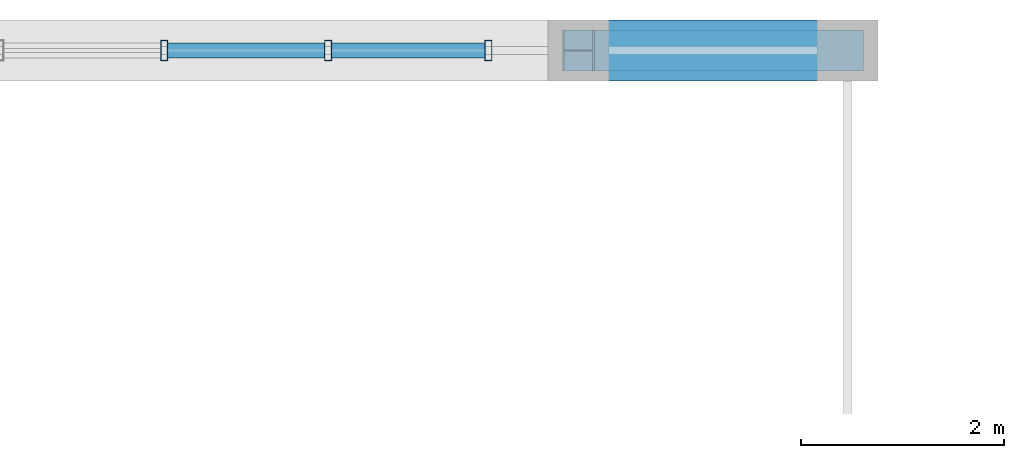
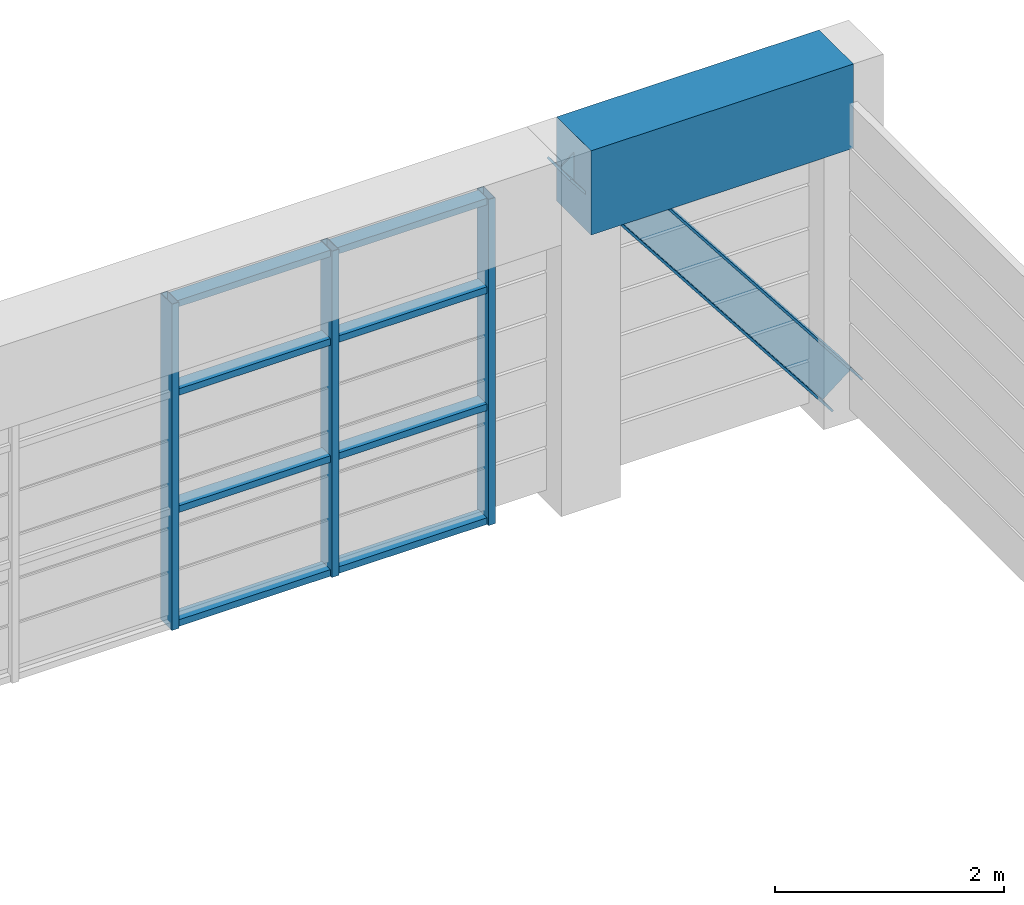
# One storey, part 15 of 21: 12 members, 1 beam, 1 element without a shape of its own.
"""IFC4 building model written with IfcOpenShell, lengths in metres."""

from ifc_helpers import new_model, si_unit, direction, frame, origin, origin_2d, place, context, subcontext, project, spatial, rectangle, hollow_rectangle, i_section, extrude, source, transform, mapped, material, layer, layer_set, material_profile, profile_set, type_object, element, aggregate, save


model = new_model("IFC4")

# Units and contexts
model_context = context("Model", 3, precision=1e-05, world=origin(), true_north=direction((0.0, 1.0)))
body_context = subcontext(model_context, "Body", "Model", "MODEL_VIEW")
ifc_project = project(units=[si_unit("LENGTHUNIT", "METRE"), si_unit("AREAUNIT", "SQUARE_METRE"), si_unit("VOLUMEUNIT", "CUBIC_METRE"), si_unit("PLANEANGLEUNIT", "RADIAN"), si_unit("MASSUNIT", "GRAM", prefix="KILO")], contexts=[model_context])

# Site, building, storey
site_placement = place(None, origin())
site = spatial("IfcSite", under=ifc_project, at=site_placement, CompositionType="ELEMENT")
building_placement = place(site_placement, origin())
building = spatial("IfcBuilding", under=site, at=building_placement, Name="Saelheon Loggia Tower", CompositionType="ELEMENT")
storey_placement = place(building_placement, frame((0.0, 0.0, 259.800048828125)))
storey = spatial("IfcBuildingStorey", under=building, at=storey_placement, Name="CR3", CompositionType="ELEMENT", Elevation=259.800048828125)

# Beam
ifc_material_1 = material(Name="Precast Concrete C45/55", Category="concrete")
ifc_material_profile_1 = material_profile(ifc_material_1, rectangle(XDim=0.60009765625, YDim=0.89990234375, at=origin_2d()), Name="RC-600x900")
ifc_profile_set_1 = profile_set([ifc_material_profile_1], Name="Precast Concrete C45/55")
beam_type = type_object("IfcBeamType", Name="CrownFrame_Ring_RC600x900", PredefinedType="BEAM", material=ifc_profile_set_1)
shared_shape_1 = source(origin(), body_context, "Body", "SweptSolid", [
    extrude(rectangle(XDim=0.60009765625, YDim=0.89990234375, at=origin_2d()), origin(), (0.0, 0.0, 1.0), 2.64990234375),
])
beam_placement = place(storey_placement, frame((47.14990234375, 47.64990234375, 3.349853515625), z_axis=(-1.0, 0.0, 0.0), x_axis=(0.0, -1.0, 0.0)))
element("IfcBeam", 1, at=beam_placement, inside=storey, type_object=beam_type, Name="CR3 CROWN FRAME Sill Beam 09", PredefinedType="BEAM", context=body_context, shape_type="MappedRepresentation", body=[
    mapped(shared_shape_1, transform((0.0, 0.0, 0.0), scale=1.0)),
])

# Member
ifc_material_2 = material(Name="Steel SM355", Category="steel")
ifc_material_profile_2 = material_profile(ifc_material_2, i_section(OverallWidth=0.39990234375, OverallDepth=0.39990234375, WebThickness=0.012939453125, FlangeThickness=0.02099609375, at=origin_2d()), Name="H-400x400x13x21")
ifc_profile_set_2 = profile_set([ifc_material_profile_2], Name="Steel SM355")
member_type_1 = type_object("IfcMemberType", Name="CrownFrame_Brace_H400", PredefinedType="BRACE", material=ifc_profile_set_2)
shared_shape_2 = source(origin(), body_context, "Body", "SweptSolid", [
    extrude(i_section(OverallWidth=0.39990234375, OverallDepth=0.39990234375, WebThickness=0.012939453125, FlangeThickness=0.02099609375, at=origin_2d()), origin(), (0.0, 0.0, 1.0), 4.310546875),
])
member_1_placement = place(storey_placement, frame((47.14990234375, 47.64990234375, 0.199951171875), z_axis=(-0.614740189852, 0.0, 0.788729674211), x_axis=(0.0, -1.0, 0.0)))
element("IfcMember", 2, at=member_1_placement, inside=storey, type_object=member_type_1, Name="CR3 CROWN FRAME Wind Brace 05", PredefinedType="BRACE", context=body_context, shape_type="MappedRepresentation", body=[
    mapped(shared_shape_2, transform((0.0, 0.0, 0.0), scale=1.0)),
])

# Curtain wall, members
ifc_material_3 = material(Name="Bronze-Anodised Aluminium and Fritted Ceramic Screen", Category="aluminium")
ifc_layer = layer(ifc_material_3, 0.219970703125)
ifc_layer_set = layer_set([ifc_layer], Name="Bronze-Anodised Aluminium and Fritted Ceramic Screen")
curtain_wall_type = type_object("IfcCurtainWallType", Name="CW_CrownScreen", PredefinedType="NOTDEFINED", material=ifc_layer_set)
curtain_wall_placement = place(storey_placement, origin())
curtain_wall = element("IfcCurtainWall", 3, at=curtain_wall_placement, inside=storey, type_object=curtain_wall_type, Name="CR3 Crown Central Screen Curtain Wall 6", PredefinedType="NOTDEFINED")
ifc_material_4 = material(Name="Bronze-Anodised Aluminium 6063-T6", Category="aluminium")
ifc_material_profile_3 = material_profile(ifc_material_4, hollow_rectangle(XDim=0.070068359375, YDim=0.199951171875, WallThickness=0.0048828125, at=origin_2d()), Name="RHS-200x70x5")
ifc_profile_set_3 = profile_set([ifc_material_profile_3], Name="Bronze-Anodised Aluminium 6063-T6")
member_type_2 = type_object("IfcMemberType", Name="CW_CrownScreen_Mullion", PredefinedType="MULLION", material=ifc_profile_set_3)
shared_shape_3 = source(origin(), body_context, "Body", "SweptSolid", [
    extrude(hollow_rectangle(XDim=0.070068359375, YDim=0.199951171875, WallThickness=0.0048828125, at=origin_2d()), origin(), (0.0, 0.0, 1.0), 3.47998046875),
])
member_2_placement = place(storey_placement, frame((40.42138671875, 47.64990234375, 0.0), z_axis=(0.0, 0.0, 1.0), x_axis=(1.0, 0.0, 0.0)))
member_2 = element("IfcMember", 4, at=member_2_placement, type_object=member_type_2, Name="CW6 mullion 6", PredefinedType="MULLION", context=body_context, shape_type="MappedRepresentation", body=[
    mapped(shared_shape_3, transform((0.0, 0.0, 0.0), scale=1.0)),
])
member_3_placement = place(storey_placement, frame((42.03564453125, 47.64990234375, 0.0), z_axis=(0.0, 0.0, 1.0), x_axis=(1.0, 0.0, 0.0)))
member_3 = element("IfcMember", 5, at=member_3_placement, type_object=member_type_2, Name="CW6 mullion 7", PredefinedType="MULLION", context=body_context, shape_type="MappedRepresentation", body=[
    mapped(shared_shape_3, transform((0.0, 0.0, 0.0), scale=1.0)),
])
member_4_placement = place(storey_placement, frame((43.614990234375, 47.64990234375, 0.0), z_axis=(0.0, 0.0, 1.0), x_axis=(1.0, 0.0, 0.0)))
member_4 = element("IfcMember", 6, at=member_4_placement, type_object=member_type_2, Name="CW6 mullion 8", PredefinedType="MULLION", context=body_context, shape_type="MappedRepresentation", body=[
    mapped(shared_shape_3, transform((0.0, 0.0, 0.0), scale=1.0)),
])
ifc_material_profile_4 = material_profile(ifc_material_4, hollow_rectangle(XDim=0.070068359375, YDim=0.14990234375, WallThickness=0.0048828125, at=origin_2d()), Name="RHS-150x70x5")
ifc_profile_set_4 = profile_set([ifc_material_profile_4], Name="Bronze-Anodised Aluminium 6063-T6")
member_type_3 = type_object("IfcMemberType", Name="CW_CrownScreen_Transom", PredefinedType="USERDEFINED", material=ifc_profile_set_4)
shared_shape_4 = source(origin(), body_context, "Body", "SweptSolid", [
    extrude(hollow_rectangle(XDim=0.070068359375, YDim=0.14990234375, WallThickness=0.0048828125, at=origin_2d()), origin(), (0.0, 0.0, 1.0), 1.50927734375),
])
member_5_placement = place(storey_placement, frame((42.07080078125, 47.64990234375, 0.034912109375), z_axis=(1.0, 0.0, 0.0), x_axis=(0.0, 0.0, 1.0)))
member_5 = element("IfcMember", 7, at=member_5_placement, type_object=member_type_3, Name="CW6 transom 7.1", ObjectType="TRANSOM", PredefinedType="USERDEFINED", context=body_context, shape_type="MappedRepresentation", body=[
    mapped(shared_shape_4, transform((0.0, 0.0, 0.0), scale=1.0)),
])
member_6_placement = place(storey_placement, frame((42.07080078125, 47.64990234375, 1.25), z_axis=(1.0, 0.0, 0.0), x_axis=(0.0, 0.0, 1.0)))
member_6 = element("IfcMember", 8, at=member_6_placement, type_object=member_type_3, Name="CW6 transom 7.2", ObjectType="TRANSOM", PredefinedType="USERDEFINED", context=body_context, shape_type="MappedRepresentation", body=[
    mapped(shared_shape_4, transform((0.0, 0.0, 0.0), scale=1.0)),
])
member_7_placement = place(storey_placement, frame((42.07080078125, 47.64990234375, 2.5), z_axis=(1.0, 0.0, 0.0), x_axis=(0.0, 0.0, 1.0)))
member_7 = element("IfcMember", 9, at=member_7_placement, type_object=member_type_3, Name="CW6 transom 7.3", ObjectType="TRANSOM", PredefinedType="USERDEFINED", context=body_context, shape_type="MappedRepresentation", body=[
    mapped(shared_shape_4, transform((0.0, 0.0, 0.0), scale=1.0)),
])
member_8_placement = place(storey_placement, frame((42.07080078125, 47.64990234375, 3.445068359375), z_axis=(1.0, 0.0, 0.0), x_axis=(0.0, 0.0, 1.0)))
member_8 = element("IfcMember", 10, at=member_8_placement, type_object=member_type_3, Name="CW6 transom 7.4", ObjectType="TRANSOM", PredefinedType="USERDEFINED", context=body_context, shape_type="MappedRepresentation", body=[
    mapped(shared_shape_4, transform((0.0, 0.0, 0.0), scale=1.0)),
])
shared_shape_5 = source(origin(), body_context, "Body", "SweptSolid", [
    extrude(hollow_rectangle(XDim=0.070068359375, YDim=0.14990234375, WallThickness=0.0048828125, at=origin_2d()), origin(), (0.0, 0.0, 1.0), 1.544189453125),
])
member_9_placement = place(storey_placement, frame((40.45654296875, 47.64990234375, 0.034912109375), z_axis=(1.0, 0.0, 0.0), x_axis=(0.0, 0.0, 1.0)))
member_9 = element("IfcMember", 11, at=member_9_placement, type_object=member_type_3, Name="CW6 transom 6.1", ObjectType="TRANSOM", PredefinedType="USERDEFINED", context=body_context, shape_type="MappedRepresentation", body=[
    mapped(shared_shape_5, transform((0.0, 0.0, 0.0), scale=1.0)),
])
member_10_placement = place(storey_placement, frame((40.45654296875, 47.64990234375, 1.25), z_axis=(1.0, 0.0, 0.0), x_axis=(0.0, 0.0, 1.0)))
member_10 = element("IfcMember", 12, at=member_10_placement, type_object=member_type_3, Name="CW6 transom 6.2", ObjectType="TRANSOM", PredefinedType="USERDEFINED", context=body_context, shape_type="MappedRepresentation", body=[
    mapped(shared_shape_5, transform((0.0, 0.0, 0.0), scale=1.0)),
])
member_11_placement = place(storey_placement, frame((40.45654296875, 47.64990234375, 2.5), z_axis=(1.0, 0.0, 0.0), x_axis=(0.0, 0.0, 1.0)))
member_11 = element("IfcMember", 13, at=member_11_placement, type_object=member_type_3, Name="CW6 transom 6.3", ObjectType="TRANSOM", PredefinedType="USERDEFINED", context=body_context, shape_type="MappedRepresentation", body=[
    mapped(shared_shape_5, transform((0.0, 0.0, 0.0), scale=1.0)),
])
member_12_placement = place(storey_placement, frame((40.45654296875, 47.64990234375, 3.445068359375), z_axis=(1.0, 0.0, 0.0), x_axis=(0.0, 0.0, 1.0)))
member_12 = element("IfcMember", 14, at=member_12_placement, type_object=member_type_3, Name="CW6 transom 6.4", ObjectType="TRANSOM", PredefinedType="USERDEFINED", context=body_context, shape_type="MappedRepresentation", body=[
    mapped(shared_shape_5, transform((0.0, 0.0, 0.0), scale=1.0)),
])
aggregate(curtain_wall, [member_2, member_3, member_4, member_9, member_10, member_11, member_12, member_5, member_6, member_7, member_8])

save(model, "model.ifc")
